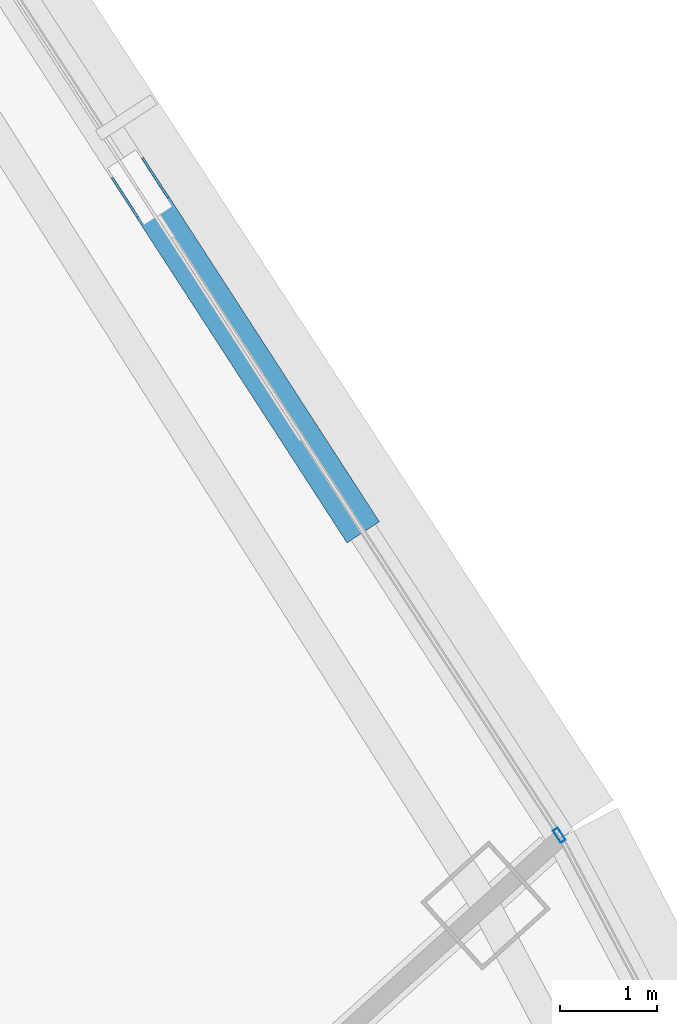
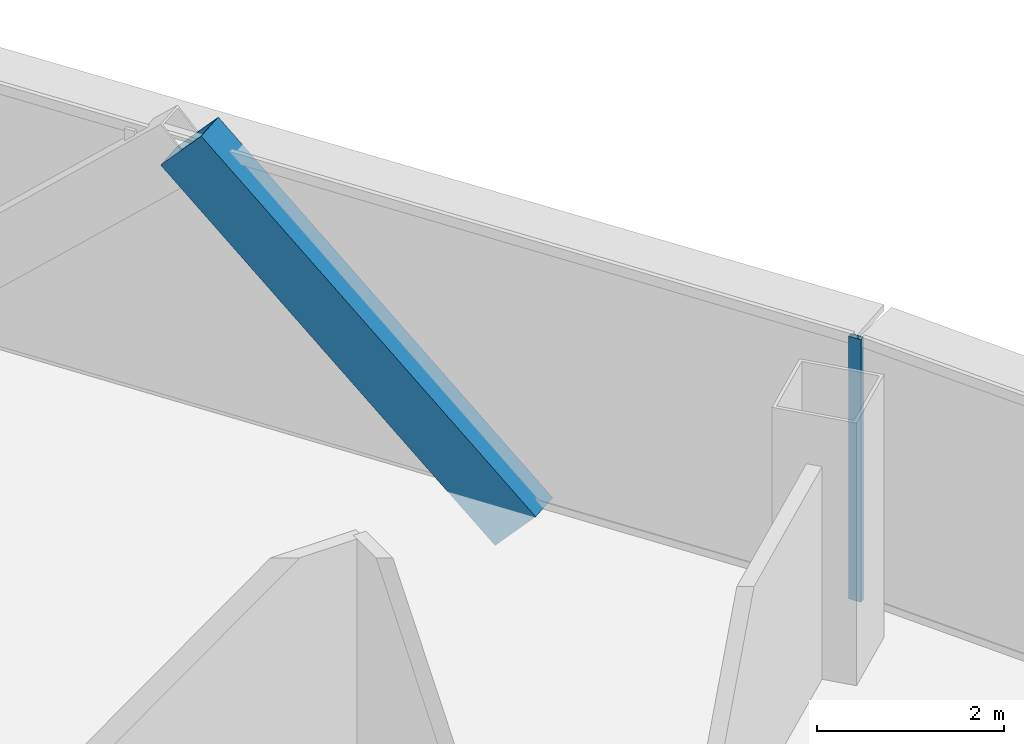
# One storey, part 20 of 39: 2 members, 1 element without a shape of its own.
"""IFC4 building model written with IfcOpenShell, lengths in metres."""

from ifc_helpers import new_model, si_unit, direction, frame, origin, origin_2d, place, context, subcontext, project, spatial, hollow_rectangle, extrude, source, transform, mapped, material, layer, layer_set, material_profile, profile_set, type_object, element, aggregate, save


model = new_model("IFC4")

# Units and contexts
model_context = context("Model", 3, precision=1e-05, world=origin(), true_north=direction((0.0, 1.0)))
body_context = subcontext(model_context, "Body", "Model", "MODEL_VIEW")
ifc_project = project(units=[si_unit("LENGTHUNIT", "METRE"), si_unit("AREAUNIT", "SQUARE_METRE"), si_unit("VOLUMEUNIT", "CUBIC_METRE"), si_unit("PLANEANGLEUNIT", "RADIAN"), si_unit("MASSUNIT", "GRAM", prefix="KILO"), si_unit("THERMODYNAMICTEMPERATUREUNIT", "KELVIN"), si_unit("POWERUNIT", "WATT")], contexts=[model_context])

# Site, building, storey
site_placement = place(None, origin())
site = spatial("IfcSite", under=ifc_project, at=site_placement, CompositionType="ELEMENT")
building_placement = place(site_placement, origin())
building = spatial("IfcBuilding", under=site, at=building_placement, Name="Yunzhuo Pagoda Commons", CompositionType="ELEMENT")
storey_placement = place(building_placement, frame((0.0, 0.0, 162.949951171875)))
storey = spatial("IfcBuildingStorey", under=building, at=storey_placement, Name="L41", CompositionType="ELEMENT", Elevation=162.949951171875)

# Member
ifc_material_1 = material(Name="Structural steel Q355B", Category="steel")
ifc_material_profile_1 = material_profile(ifc_material_1, hollow_rectangle(XDim=0.39990234375, YDim=0.719970703125, WallThickness=0.02392578125, at=origin_2d()), Name="Structural steel Q355B")
ifc_profile_set_1 = profile_set([ifc_material_profile_1], Name="Structural steel Q355B")
member_type_1 = type_object("IfcMemberType", Name="M-DL2 Brace BOX 720x400x24", PredefinedType="BRACE", material=ifc_profile_set_1)
shared_shape_1 = source(origin(), body_context, "Body", "SweptSolid", [
    extrude(hollow_rectangle(XDim=0.39990234375, YDim=0.719970703125, WallThickness=0.02392578125, at=origin_2d()), origin(), (0.0, 0.0, 1.0), 5.441650390625),
])
member_1_placement = place(storey_placement, frame((70.3681640625, 59.166748046875, -0.260009765625), z_axis=(-0.400325163899, 0.618366214729, 0.676286172881), x_axis=(-0.839442680853, -0.543448236324, 0.0)))
element("IfcMember", 1, at=member_1_placement, inside=storey, type_object=member_type_1, Name="L41 facade diamond brace F2.3L", PredefinedType="BRACE", context=body_context, shape_type="MappedRepresentation", body=[
    mapped(shared_shape_1, transform((0.0, 0.0, 0.0), scale=1.0)),
])

# Curtain wall, member
ifc_material_2 = material(Name="Anodized aluminium 6063-T6", Category="aluminium")
ifc_layer = layer(ifc_material_2, 0.14990234375)
ifc_layer_set = layer_set([ifc_layer], Name="Anodized aluminium 6063-T6")
curtain_wall_type = type_object("IfcCurtainWallType", Name="CW-MID Mid-Zone Ribbon Curtain Wall", PredefinedType="NOTDEFINED", material=ifc_layer_set)
curtain_wall_placement = place(storey_placement, origin())
curtain_wall = element("IfcCurtainWall", 2, at=curtain_wall_placement, inside=storey, type_object=curtain_wall_type, Name="L41 curtain wall CW-L41-F2B4", PredefinedType="NOTDEFINED")
ifc_material_profile_2 = material_profile(ifc_material_2, hollow_rectangle(XDim=0.06005859375, YDim=0.14990234375, WallThickness=0.00390625, at=origin_2d()), Name="Anodized aluminium 6063-T6")
ifc_profile_set_2 = profile_set([ifc_material_profile_2], Name="Anodized aluminium 6063-T6")
member_type_2 = type_object("IfcMemberType", Name="CW-MID-M Mullion RHS 150x60x4", PredefinedType="MULLION", material=ifc_profile_set_2)
shared_shape_2 = source(origin(), body_context, "Body", "SweptSolid", [
    extrude(hollow_rectangle(XDim=0.06005859375, YDim=0.14990234375, WallThickness=0.00390625, at=origin_2d()), origin(), (0.0, 0.0, 1.0), 3.420166015625),
])
member_2_placement = place(storey_placement, frame((72.530029296875, 55.826904296875, 0.0), z_axis=(0.0, 0.0, 1.0), x_axis=(-0.839466065689, -0.543412113002, 0.0)))
member_2 = element("IfcMember", 3, at=member_2_placement, type_object=member_type_2, Name="CW mullion 1", PredefinedType="MULLION", context=body_context, shape_type="MappedRepresentation", body=[
    mapped(shared_shape_2, transform((0.0, 0.0, 0.0), scale=1.0)),
])
aggregate(curtain_wall, [member_2])

save(model, "model.ifc")
